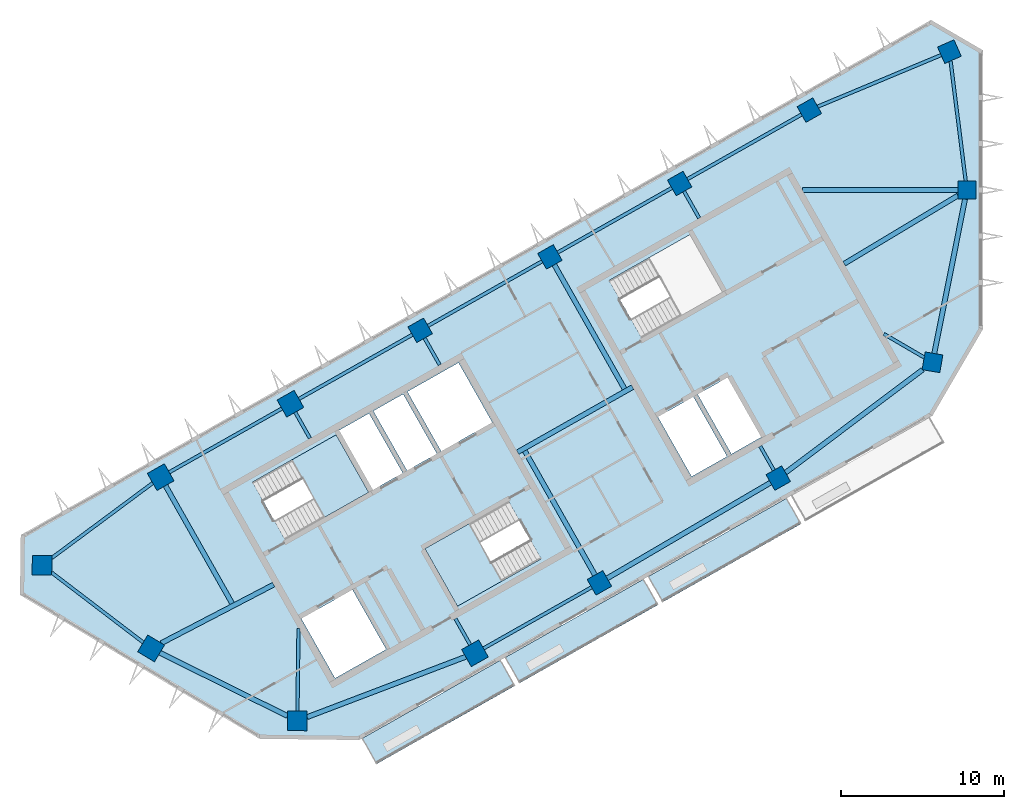
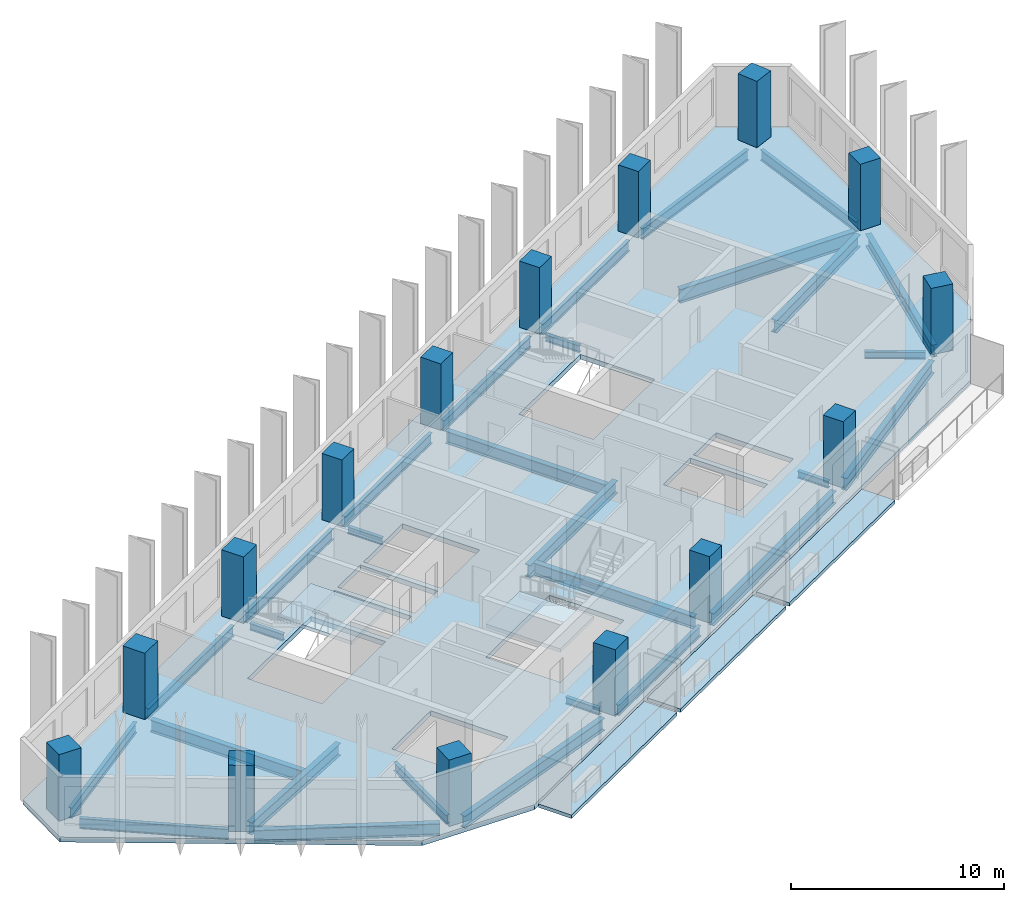
# One storey, part 1 of 8: 29 beams, 15 columns, 6 slabs, 2 elements without a shape of their own.
"""IFC4 building model written with IfcOpenShell, lengths in metres."""

from ifc_helpers import new_model, si_unit, direction, frame, origin, origin_2d, place, context, subcontext, project, spatial, polyline, rectangle, i_section, outline, extrude, material, layer, layer_set, material_profile, profile_set, type_object, element, aggregate, save


model = new_model("IFC4")

# Units and contexts
model_context = context("Model", 3, precision=1e-05, world=origin(), true_north=direction((0.0, 1.0)))
body_context = subcontext(model_context, "Body", "Model", "MODEL_VIEW")
ifc_project = project(units=[si_unit("LENGTHUNIT", "METRE"), si_unit("AREAUNIT", "SQUARE_METRE"), si_unit("VOLUMEUNIT", "CUBIC_METRE"), si_unit("PLANEANGLEUNIT", "RADIAN"), si_unit("MASSUNIT", "GRAM", prefix="KILO")], contexts=[model_context])

# Site, building, storey
site_placement = place(None, origin())
site = spatial("IfcSite", under=ifc_project, at=site_placement, CompositionType="ELEMENT")
building_placement = place(site_placement, origin())
building = spatial("IfcBuilding", under=site, at=building_placement, Name="Binnacle Exchange Tower", CompositionType="ELEMENT")
storey_placement = place(building_placement, frame((0.0, 0.0, 270.300048828125)))
storey = spatial("IfcBuildingStorey", under=building, at=storey_placement, Name="L60", CompositionType="ELEMENT", Elevation=270.300048828125)

# Columns
ifc_material_1 = material(Name="Concrete C60/75", Category="concrete")
ifc_material_profile_1 = material_profile(ifc_material_1, rectangle(XDim=1.10009765625, YDim=1.10009765625, at=origin_2d()), Name="Mega column 1100x1100 C60/75")
ifc_profile_set_1 = profile_set([ifc_material_profile_1], Name="Concrete C60/75")
column_type_1 = type_object("IfcColumnType", Name="Mega column 1100x1100 C60/75", PredefinedType="COLUMN", material=ifc_profile_set_1)
for number, where, z_axis, x_axis, name in (
    (1, (-10.4951171875, 64.901611328125, 0.0), (0.0, 0.0, 1.0), (-0.87035569594, -0.492423560103, 0.0), "S:COL:MC38:L60"),
    (2, (-18.44140625, 60.406005859375, 0.0), (0.0, 0.0, 1.0), (-0.87035569594, -0.492423560103, 0.0), "S:COL:MC29:L60"),
    (3, (-26.3876953125, 55.91015625, 0.0), (0.0, 0.0, 1.0), (-0.87035569594, -0.492423560103, 0.0), "S:COL:MC21:L60"),
    (4, (-34.333740234375, 51.414306640625, 0.0), (0.0, 0.0, 1.0), (-0.87035569594, -0.492423560103, 0.0), "S:COL:MC13:L60"),
    (5, (-23.35595703125, 35.9462890625, 0.0), (0.0, 0.0, 1.0), (0.87035569594, 0.492423560103, 0.0), "S:COL:MC16:L60"),
    (6, (-2.955322265625, 49.45556640625, 0.0), (0.0, 0.0, 1.0), (-0.98522612636, 0.171258517854, 0.0), "S:COL:MC43:L60"),
    (7, (-0.85009765625, 60.0, 0.0), (0.0, 0.0, 1.0), (0.0, 1.0, 0.0), "S:COL:MC45:L60"),
    (8, (-1.920166015625, 68.4833984375, 0.0), (0.0, 0.0, 1.0), (-0.91471298536, -0.40410413808, 0.0), "S:COL:MC44:L60"),
    (9, (-12.39990234375, 42.36328125, 0.0), (0.0, 0.0, 1.0), (0.87035569594, 0.492423560103, 0.0), "S:COL:MC30:L60"),
):
    element("IfcColumn", number, at=place(storey_placement, frame(where, z_axis=z_axis, x_axis=x_axis)), inside=storey, type_object=column_type_1, Name=name, PredefinedType="COLUMN", context=body_context, shape_type="SweptSolid", body=[
        extrude(rectangle(XDim=1.10009765625, YDim=1.10009765625, at=origin_2d()), origin(), (0.0, 0.0, 1.0), 3.800048828125),
    ])
ifc_material_profile_2 = material_profile(ifc_material_1, rectangle(XDim=1.199951171875, YDim=1.199951171875, at=origin_2d()), Name="Mega column 1200x1200 C60/75")
ifc_profile_set_2 = profile_set([ifc_material_profile_2], Name="Concrete C60/75")
column_type_2 = type_object("IfcColumnType", Name="Mega column 1200x1200 C60/75", PredefinedType="COLUMN", material=ifc_profile_set_2)
for number, where, z_axis, x_axis, name in (
    (10, (-42.280029296875, 46.918701171875, 0.0), (0.0, 0.0, 1.0), (-0.87035569594, -0.492423560103, 0.0), "S:COL:MC08:L60"),
    (11, (-50.226318359375, 42.4228515625, 0.0), (0.0, 0.0, 1.0), (-0.87035569594, -0.492423560103, 0.0), "S:COL:MC04:L60"),
    (12, (-57.492919921875, 37.02734375, 0.0), (0.0, 0.0, 1.0), (-0.013089595571, -0.999914327574, 0.0), "S:COL:MC02:L60"),
    (13, (-50.81201171875, 31.930908203125, 0.0), (0.0, 0.0, 1.0), (0.857167300702, -0.51503807491, 0.0), "S:COL:MC01:L60"),
    (14, (-41.857666015625, 27.494873046875, 0.0), (0.0, 0.0, 1.0), (0.999914327574, -0.013089595571, 0.0), "S:COL:MC03:L60"),
    (15, (-30.9755859375, 31.63525390625, 0.0), (0.0, 0.0, 1.0), (0.87035569594, 0.492423560103, 0.0), "S:COL:MC07:L60"),
):
    element("IfcColumn", number, at=place(storey_placement, frame(where, z_axis=z_axis, x_axis=x_axis)), inside=storey, type_object=column_type_2, Name=name, PredefinedType="COLUMN", context=body_context, shape_type="SweptSolid", body=[
        extrude(rectangle(XDim=1.199951171875, YDim=1.199951171875, at=origin_2d()), origin(), (0.0, 0.0, 1.0), 3.800048828125),
    ])

# Beams
ifc_material_2 = material(Name="Steel S355 (SHN355)", Category="steel")
ifc_material_profile_3 = material_profile(ifc_material_2, i_section(OverallWidth=0.199951171875, OverallDepth=0.60009765625, WebThickness=0.010986328125, FlangeThickness=0.01708984375, FilletRadius=0.02197265625, at=origin_2d()), Name="H 600x200x11x17")
ifc_profile_set_3 = profile_set([ifc_material_profile_3], Name="Steel S355 (SHN355)")
beam_type_1 = type_object("IfcBeamType", Name="Edge girder H 600x200x11x17 Steel S355 (SHN355)", PredefinedType="SPANDREL", material=ifc_profile_set_3)
beam_1_placement = place(storey_placement, frame((-56.89892578125, 36.57421875, -0.580078125), z_axis=(0.795079526259, -0.606505191176, 0.0), x_axis=(0.606505191176, 0.795079526259, 0.0)))
element("IfcBeam", 16, at=beam_1_placement, inside=storey, type_object=beam_type_1, Name="S:BM:edge:L60:004", PredefinedType="SPANDREL", context=body_context, shape_type="SweptSolid", body=[
    extrude(i_section(OverallWidth=0.199951171875, OverallDepth=0.60009765625, WebThickness=0.010986328125, FlangeThickness=0.01708984375, FilletRadius=0.02197265625, at=origin_2d()), origin(), (0.0, 0.0, 1.0), 7.052001953125),
])
ifc_material_profile_4 = material_profile(ifc_material_2, i_section(OverallWidth=0.200927734375, OverallDepth=0.60595703125, WebThickness=0.011962890625, FlangeThickness=0.02001953125, FilletRadius=0.02197265625, at=origin_2d()), Name="H 606x201x12x20")
ifc_profile_set_4 = profile_set([ifc_material_profile_4], Name="Steel S355 (SHN355)")
beam_type_2 = type_object("IfcBeamType", Name="Edge girder H 606x201x12x20 Steel S355 (SHN355)", PredefinedType="SPANDREL", material=ifc_profile_set_4)
beam_2_placement = place(storey_placement, frame((-50.711669921875, 42.0625, -0.5830078125), z_axis=(-0.802889255085, -0.596128211099, 0.0), x_axis=(0.596128211099, -0.802889255085, 0.0)))
element("IfcBeam", 17, at=beam_2_placement, inside=storey, type_object=beam_type_2, Name="S:BM:edge:L60:005", PredefinedType="SPANDREL", context=body_context, shape_type="SweptSolid", body=[
    extrude(i_section(OverallWidth=0.200927734375, OverallDepth=0.60595703125, WebThickness=0.011962890625, FlangeThickness=0.02001953125, FilletRadius=0.02197265625, at=origin_2d()), origin(), (0.0, 0.0, 1.0), 7.691650390625),
])
beam_3_placement = place(storey_placement, frame((-30.453369140625, 31.930908203125, -0.5830078125), z_axis=(0.870370831478, 0.49239680717, 0.0), x_axis=(-0.49239680717, 0.870370831478, 0.0)))
element("IfcBeam", 18, at=beam_3_placement, inside=storey, type_object=beam_type_2, Name="S:BM:edge:L60:010", PredefinedType="SPANDREL", context=body_context, shape_type="SweptSolid", body=[
    extrude(i_section(OverallWidth=0.200927734375, OverallDepth=0.60595703125, WebThickness=0.011962890625, FlangeThickness=0.02001953125, FilletRadius=0.02197265625, at=origin_2d()), origin(), (0.0, 0.0, 1.0), 7.6044921875),
])
beam_4_placement = place(storey_placement, frame((-0.91943359375, 60.550048828125, -0.5830078125), z_axis=(-0.125160121745, 0.992136555079, 0.0), x_axis=(-0.992136555079, -0.125160121745, 0.0)))
element("IfcBeam", 19, at=beam_4_placement, inside=storey, type_object=beam_type_2, Name="S:BM:edge:L60:018", PredefinedType="SPANDREL", context=body_context, shape_type="SweptSolid", body=[
    extrude(i_section(OverallWidth=0.200927734375, OverallDepth=0.60595703125, WebThickness=0.011962890625, FlangeThickness=0.02001953125, FilletRadius=0.02197265625, at=origin_2d()), origin(), (0.0, 0.0, 1.0), 7.422119140625),
])
ifc_material_profile_5 = material_profile(ifc_material_2, i_section(OverallWidth=0.201904296875, OverallDepth=0.612060546875, WebThickness=0.012939453125, FlangeThickness=0.02294921875, FilletRadius=0.02197265625, at=origin_2d()), Name="H 612x202x13x23")
ifc_profile_set_5 = profile_set([ifc_material_profile_5], Name="Steel S355 (SHN355)")
beam_type_3 = type_object("IfcBeamType", Name="Edge girder H 612x202x13x23 Steel S355 (SHN355)", PredefinedType="SPANDREL", material=ifc_profile_set_5)
beam_5_placement = place(storey_placement, frame((-42.80224609375, 46.623291015625, -0.5859375), z_axis=(-0.870360926906, -0.492414314288, 0.0), x_axis=(0.492414314288, -0.870360926906, 0.0)))
element("IfcBeam", 20, at=beam_5_placement, inside=storey, type_object=beam_type_3, Name="S:BM:edge:L60:007", PredefinedType="SPANDREL", context=body_context, shape_type="SweptSolid", body=[
    extrude(i_section(OverallWidth=0.201904296875, OverallDepth=0.612060546875, WebThickness=0.012939453125, FlangeThickness=0.02294921875, FilletRadius=0.02197265625, at=origin_2d()), origin(), (0.0, 0.0, 1.0), 7.929931640625),
])
beam_6_placement = place(storey_placement, frame((-34.8125, 51.1435546875, -0.5859375), z_axis=(-0.870357059543, -0.492421149935, 0.0), x_axis=(0.492421149935, -0.870357059543, 0.0)))
element("IfcBeam", 21, at=beam_6_placement, inside=storey, type_object=beam_type_3, Name="S:BM:edge:L60:009", PredefinedType="SPANDREL", context=body_context, shape_type="SweptSolid", body=[
    extrude(i_section(OverallWidth=0.201904296875, OverallDepth=0.612060546875, WebThickness=0.012939453125, FlangeThickness=0.02294921875, FilletRadius=0.02197265625, at=origin_2d()), origin(), (0.0, 0.0, 1.0), 7.979736328125),
])
beam_7_placement = place(storey_placement, frame((-26.8662109375, 55.639404296875, -0.5859375), z_axis=(-0.870353240257, -0.492427900482, 0.0), x_axis=(0.492427900482, -0.870353240257, 0.0)))
element("IfcBeam", 22, at=beam_7_placement, inside=storey, type_object=beam_type_3, Name="S:BM:edge:L60:011", PredefinedType="SPANDREL", context=body_context, shape_type="SweptSolid", body=[
    extrude(i_section(OverallWidth=0.201904296875, OverallDepth=0.612060546875, WebThickness=0.012939453125, FlangeThickness=0.02294921875, FilletRadius=0.02197265625, at=origin_2d()), origin(), (0.0, 0.0, 1.0), 8.02978515625),
])
beam_8_placement = place(storey_placement, frame((-18.919921875, 60.13525390625, -0.5859375), z_axis=(-0.870347582166, -0.492437900875, 0.0), x_axis=(0.492437900875, -0.870347582166, 0.0)))
element("IfcBeam", 23, at=beam_8_placement, inside=storey, type_object=beam_type_3, Name="S:BM:edge:L60:013", PredefinedType="SPANDREL", context=body_context, shape_type="SweptSolid", body=[
    extrude(i_section(OverallWidth=0.201904296875, OverallDepth=0.612060546875, WebThickness=0.012939453125, FlangeThickness=0.02294921875, FilletRadius=0.02197265625, at=origin_2d()), origin(), (0.0, 0.0, 1.0), 8.030029296875),
])
beam_9_placement = place(storey_placement, frame((-10.973876953125, 64.630859375, -0.5859375), z_axis=(-0.870353240257, -0.492427900482, 0.0), x_axis=(0.492427900482, -0.870353240257, 0.0)))
element("IfcBeam", 24, at=beam_9_placement, inside=storey, type_object=beam_type_3, Name="S:BM:edge:L60:015", PredefinedType="SPANDREL", context=body_context, shape_type="SweptSolid", body=[
    extrude(i_section(OverallWidth=0.201904296875, OverallDepth=0.612060546875, WebThickness=0.012939453125, FlangeThickness=0.02294921875, FilletRadius=0.02197265625, at=origin_2d()), origin(), (0.0, 0.0, 1.0), 8.02978515625),
])
beam_10_placement = place(storey_placement, frame((-2.427734375, 68.271240234375, -0.5859375), z_axis=(-0.922746687756, -0.385406992977, 0.0), x_axis=(0.385406992977, -0.922746687756, 0.0)))
element("IfcBeam", 25, at=beam_10_placement, inside=storey, type_object=beam_type_3, Name="S:BM:edge:L60:017", PredefinedType="SPANDREL", context=body_context, shape_type="SweptSolid", body=[
    extrude(i_section(OverallWidth=0.201904296875, OverallDepth=0.612060546875, WebThickness=0.012939453125, FlangeThickness=0.02294921875, FilletRadius=0.02197265625, at=origin_2d()), origin(), (0.0, 0.0, 1.0), 8.188720703125),
])
ifc_material_profile_6 = material_profile(ifc_material_2, i_section(OverallWidth=0.300048828125, OverallDepth=0.699951171875, WebThickness=0.012939453125, FlangeThickness=0.02392578125, FilletRadius=0.028076171875, at=origin_2d()), Name="H 700x300x13x24")
ifc_profile_set_6 = profile_set([ifc_material_profile_6], Name="Steel S355 (SHN355)")
beam_type_4 = type_object("IfcBeamType", Name="Edge girder H 700x300x13x24 Steel S355 (SHN355)", PredefinedType="SPANDREL", material=ifc_profile_set_6)
beam_11_placement = place(storey_placement, frame((-50.272705078125, 31.663818359375, -0.630126953125), z_axis=(0.896066323919, -0.443920199066, 0.0), x_axis=(0.443920199066, 0.896066323919, 0.0)))
element("IfcBeam", 26, at=beam_11_placement, inside=storey, type_object=beam_type_4, Name="S:BM:edge:L60:006", PredefinedType="SPANDREL", context=body_context, shape_type="SweptSolid", body=[
    extrude(i_section(OverallWidth=0.300048828125, OverallDepth=0.699951171875, WebThickness=0.012939453125, FlangeThickness=0.02392578125, FilletRadius=0.028076171875, at=origin_2d()), origin(), (0.0, 0.0, 1.0), 8.725830078125),
])
beam_12_placement = place(storey_placement, frame((-41.254638671875, 27.724365234375, -0.630126953125), z_axis=(0.934635421438, 0.355607408519, 0.0), x_axis=(-0.355607408519, 0.934635421438, 0.0)))
element("IfcBeam", 27, at=beam_12_placement, inside=storey, type_object=beam_type_4, Name="S:BM:edge:L60:008", PredefinedType="SPANDREL", context=body_context, shape_type="SweptSolid", body=[
    extrude(i_section(OverallWidth=0.300048828125, OverallDepth=0.699951171875, WebThickness=0.012939453125, FlangeThickness=0.02392578125, FilletRadius=0.028076171875, at=origin_2d()), origin(), (0.0, 0.0, 1.0), 10.390869140625),
])
beam_13_placement = place(storey_placement, frame((-11.95654296875, 42.6962890625, -0.630126953125), z_axis=(0.799642767002, 0.600476015493, 0.0), x_axis=(-0.600476015493, 0.799642767002, 0.0)))
element("IfcBeam", 28, at=beam_13_placement, inside=storey, type_object=beam_type_4, Name="S:BM:edge:L60:014", PredefinedType="SPANDREL", context=body_context, shape_type="SweptSolid", body=[
    extrude(i_section(OverallWidth=0.300048828125, OverallDepth=0.699951171875, WebThickness=0.012939453125, FlangeThickness=0.02392578125, FilletRadius=0.028076171875, at=origin_2d()), origin(), (0.0, 0.0, 1.0), 10.50146484375),
])
beam_14_placement = place(storey_placement, frame((-2.84765625, 49.9951171875, -0.630126953125), z_axis=(0.195814210945, 0.980641012191, 0.0), x_axis=(-0.980641012191, 0.195814210945, 0.0)))
element("IfcBeam", 29, at=beam_14_placement, inside=storey, type_object=beam_type_4, Name="S:BM:edge:L60:016", PredefinedType="SPANDREL", context=body_context, shape_type="SweptSolid", body=[
    extrude(i_section(OverallWidth=0.300048828125, OverallDepth=0.699951171875, WebThickness=0.012939453125, FlangeThickness=0.02392578125, FilletRadius=0.028076171875, at=origin_2d()), origin(), (0.0, 0.0, 1.0), 9.6416015625),
])
ifc_material_profile_7 = material_profile(ifc_material_2, i_section(OverallWidth=0.302001953125, OverallDepth=0.7080078125, WebThickness=0.014892578125, FlangeThickness=0.028076171875, FilletRadius=0.028076171875, at=origin_2d()), Name="H 708x302x15x28")
ifc_profile_set_7 = profile_set([ifc_material_profile_7], Name="Steel S355 (SHN355)")
beam_type_5 = type_object("IfcBeamType", Name="Edge girder H 708x302x15x28 Steel S355 (SHN355)", PredefinedType="SPANDREL", material=ifc_profile_set_7)
beam_15_placement = place(storey_placement, frame((-22.88134765625, 36.22412109375, -0.634033203125), z_axis=(0.86288572191, 0.50539908085, 0.0), x_axis=(-0.50539908085, 0.86288572191, 0.0)))
element("IfcBeam", 30, at=beam_15_placement, inside=storey, type_object=beam_type_5, Name="S:BM:edge:L60:012", PredefinedType="SPANDREL", context=body_context, shape_type="SweptSolid", body=[
    extrude(i_section(OverallWidth=0.302001953125, OverallDepth=0.7080078125, WebThickness=0.014892578125, FlangeThickness=0.028076171875, FilletRadius=0.028076171875, at=origin_2d()), origin(), (0.0, 0.0, 1.0), 11.596923828125),
])
ifc_material_profile_8 = material_profile(ifc_material_2, i_section(OverallWidth=0.199951171875, OverallDepth=0.39990234375, WebThickness=0.008056640625, FlangeThickness=0.012939453125, FilletRadius=0.01611328125, at=origin_2d()), Name="H 400x200x8x13")
ifc_profile_set_8 = profile_set([ifc_material_profile_8], Name="Steel S355 (SHN355)")
beam_type_6 = type_object("IfcBeamType", Name="Floor beam H 400x200x8x13 Steel S355 (SHN355)", PredefinedType="BEAM", material=ifc_profile_set_8)
beam_16_placement = place(storey_placement, frame((-41.984619140625, 46.396484375, -0.47998046875), z_axis=(0.492465079532, -0.87033220407, 0.0), x_axis=(0.87033220407, 0.492465079532, 0.0)))
element("IfcBeam", 31, at=beam_16_placement, inside=storey, type_object=beam_type_6, Name="S:BM:cross:L60:020", PredefinedType="BEAM", context=body_context, shape_type="SweptSolid", body=[
    extrude(i_section(OverallWidth=0.199951171875, OverallDepth=0.39990234375, WebThickness=0.008056640625, FlangeThickness=0.012939453125, FilletRadius=0.01611328125, at=origin_2d()), origin(), (0.0, 0.0, 1.0), 1.834228515625),
])
beam_17_placement = place(storey_placement, frame((-34.06298828125, 50.935791015625, -0.47998046875), z_axis=(0.492437150105, -0.870348006947, 0.0), x_axis=(0.870348006947, 0.492437150105, 0.0)))
element("IfcBeam", 32, at=beam_17_placement, inside=storey, type_object=beam_type_6, Name="S:BM:cross:L60:022", PredefinedType="BEAM", context=body_context, shape_type="SweptSolid", body=[
    extrude(i_section(OverallWidth=0.199951171875, OverallDepth=0.39990234375, WebThickness=0.008056640625, FlangeThickness=0.012939453125, FilletRadius=0.01611328125, at=origin_2d()), origin(), (0.0, 0.0, 1.0), 1.884521484375),
])
beam_18_placement = place(storey_placement, frame((-31.27099609375, 32.157470703125, -0.47998046875), z_axis=(-0.492465079532, 0.87033220407, 0.0), x_axis=(-0.87033220407, -0.492465079532, 0.0)))
element("IfcBeam", 33, at=beam_18_placement, inside=storey, type_object=beam_type_6, Name="S:BM:cross:L60:023", PredefinedType="BEAM", context=body_context, shape_type="SweptSolid", body=[
    extrude(i_section(OverallWidth=0.199951171875, OverallDepth=0.39990234375, WebThickness=0.008056640625, FlangeThickness=0.012939453125, FilletRadius=0.01611328125, at=origin_2d()), origin(), (0.0, 0.0, 1.0), 1.834228515625),
])
beam_19_placement = place(storey_placement, frame((-18.17041015625, 59.92724609375, -0.47998046875), z_axis=(0.492394529663, -0.870372119934, 0.0), x_axis=(0.870372119934, 0.492394529663, 0.0)))
element("IfcBeam", 34, at=beam_19_placement, inside=storey, type_object=beam_type_6, Name="S:BM:cross:L60:026", PredefinedType="BEAM", context=body_context, shape_type="SweptSolid", body=[
    extrude(i_section(OverallWidth=0.199951171875, OverallDepth=0.39990234375, WebThickness=0.008056640625, FlangeThickness=0.012939453125, FilletRadius=0.01611328125, at=origin_2d()), origin(), (0.0, 0.0, 1.0), 1.884033203125),
])
beam_20_placement = place(storey_placement, frame((-12.6708984375, 42.841796875, -0.47998046875), z_axis=(-0.492394350893, 0.870372221069, 0.0), x_axis=(-0.870372221069, -0.492394350893, 0.0)))
element("IfcBeam", 35, at=beam_20_placement, inside=storey, type_object=beam_type_6, Name="S:BM:cross:L60:027", PredefinedType="BEAM", context=body_context, shape_type="SweptSolid", body=[
    extrude(i_section(OverallWidth=0.199951171875, OverallDepth=0.39990234375, WebThickness=0.008056640625, FlangeThickness=0.012939453125, FilletRadius=0.01611328125, at=origin_2d()), origin(), (0.0, 0.0, 1.0), 1.6943359375),
])
beam_21_placement = place(storey_placement, frame((-3.46240234375, 49.751220703125, -0.47998046875), z_axis=(-0.863840862356, 0.503764790874, 0.0), x_axis=(-0.503764790874, -0.863840862356, 0.0)))
element("IfcBeam", 36, at=beam_21_placement, inside=storey, type_object=beam_type_6, Name="S:BM:cross:L60:028", PredefinedType="BEAM", context=body_context, shape_type="SweptSolid", body=[
    extrude(i_section(OverallWidth=0.199951171875, OverallDepth=0.39990234375, WebThickness=0.008056640625, FlangeThickness=0.012939453125, FilletRadius=0.01611328125, at=origin_2d()), origin(), (0.0, 0.0, 1.0), 2.85791015625),
])
ifc_material_profile_9 = material_profile(ifc_material_2, i_section(OverallWidth=0.200927734375, OverallDepth=0.506103515625, WebThickness=0.010986328125, FlangeThickness=0.01904296875, FilletRadius=0.02001953125, at=origin_2d()), Name="H 506x201x11x19")
ifc_profile_set_9 = profile_set([ifc_material_profile_9], Name="Steel S355 (SHN355)")
beam_type_7 = type_object("IfcBeamType", Name="Floor beam H 506x201x11x19 Steel S355 (SHN355)", PredefinedType="BEAM", material=ifc_profile_set_9)
beam_22_placement = place(storey_placement, frame((-41.849853515625, 28.0947265625, -0.532958984375), z_axis=(0.013099523714, 0.999914197558, 0.0), x_axis=(-0.999914197558, 0.013099523714, 0.0)))
element("IfcBeam", 37, at=beam_22_placement, inside=storey, type_object=beam_type_7, Name="S:BM:cross:L60:021", PredefinedType="BEAM", context=body_context, shape_type="SweptSolid", body=[
    extrude(i_section(OverallWidth=0.200927734375, OverallDepth=0.506103515625, WebThickness=0.010986328125, FlangeThickness=0.01904296875, FilletRadius=0.02001953125, at=origin_2d()), origin(), (0.0, 0.0, 1.0), 5.05078125),
])
ifc_material_profile_10 = material_profile(ifc_material_2, i_section(OverallWidth=0.300048828125, OverallDepth=0.699951171875, WebThickness=0.012939453125, FlangeThickness=0.02392578125, FilletRadius=0.028076171875, at=origin_2d()), Name="H 700x300x13x24")
ifc_profile_set_10 = profile_set([ifc_material_profile_10], Name="Steel S355 (SHN355)")
beam_type_8 = type_object("IfcBeamType", Name="Floor beam H 700x300x13x24 Steel S355 (SHN355)", PredefinedType="BEAM", material=ifc_profile_set_10)
beam_23_placement = place(storey_placement, frame((-49.9306640625, 41.900634765625, -0.630126953125), z_axis=(0.492421066821, -0.870357106566, 0.0), x_axis=(0.870357106566, 0.492421066821, 0.0)))
element("IfcBeam", 38, at=beam_23_placement, inside=storey, type_object=beam_type_8, Name="S:BM:cross:L60:019", PredefinedType="BEAM", context=body_context, shape_type="SweptSolid", body=[
    extrude(i_section(OverallWidth=0.300048828125, OverallDepth=0.699951171875, WebThickness=0.012939453125, FlangeThickness=0.02392578125, FilletRadius=0.028076171875, at=origin_2d()), origin(), (0.0, 0.0, 1.0), 8.291259765625),
])
ifc_material_profile_11 = material_profile(ifc_material_2, i_section(OverallWidth=0.302001953125, OverallDepth=0.7080078125, WebThickness=0.014892578125, FlangeThickness=0.028076171875, FilletRadius=0.028076171875, at=origin_2d()), Name="H 708x302x15x28")
ifc_profile_set_11 = profile_set([ifc_material_profile_11], Name="Steel S355 (SHN355)")
beam_type_9 = type_object("IfcBeamType", Name="Floor beam H 708x302x15x28 Steel S355 (SHN355)", PredefinedType="BEAM", material=ifc_profile_set_11)
beam_24_placement = place(storey_placement, frame((-26.11669921875, 55.431396484375, -0.634033203125), z_axis=(0.492413671625, -0.870361290497, 0.0), x_axis=(0.870361290497, 0.492413671625, 0.0)))
element("IfcBeam", 39, at=beam_24_placement, inside=storey, type_object=beam_type_9, Name="S:BM:cross:L60:024", PredefinedType="BEAM", context=body_context, shape_type="SweptSolid", body=[
    extrude(i_section(OverallWidth=0.302001953125, OverallDepth=0.7080078125, WebThickness=0.014892578125, FlangeThickness=0.028076171875, FilletRadius=0.028076171875, at=origin_2d()), origin(), (0.0, 0.0, 1.0), 8.734130859375),
])
beam_25_placement = place(storey_placement, frame((-23.626708984375, 36.4248046875, -0.634033203125), z_axis=(-0.492422866295, 0.870356088477, 0.0), x_axis=(-0.870356088477, -0.492422866295, 0.0)))
element("IfcBeam", 40, at=beam_25_placement, inside=storey, type_object=beam_type_9, Name="S:BM:cross:L60:025", PredefinedType="BEAM", context=body_context, shape_type="SweptSolid", body=[
    extrude(i_section(OverallWidth=0.302001953125, OverallDepth=0.7080078125, WebThickness=0.014892578125, FlangeThickness=0.028076171875, FilletRadius=0.028076171875, at=origin_2d()), origin(), (0.0, 0.0, 1.0), 8.734375),
])
ifc_material_profile_12 = material_profile(ifc_material_2, i_section(OverallWidth=0.300048828125, OverallDepth=0.800048828125, WebThickness=0.013916015625, FlangeThickness=0.02587890625, FilletRadius=0.028076171875, at=origin_2d()), Name="H 800x300x14x26")
ifc_profile_set_12 = profile_set([ifc_material_profile_12], Name="Steel S355 (SHN355)")
beam_type_10 = type_object("IfcBeamType", Name="Floor beam H 800x300x14x26 Steel S355 (SHN355)", PredefinedType="BEAM", material=ifc_profile_set_12)
beam_26_placement = place(storey_placement, frame((-1.39990234375, 60.0, -0.679931640625), z_axis=(-1.0, 0.0, 0.0), x_axis=(0.0, -1.0, 0.0)))
element("IfcBeam", 41, at=beam_26_placement, inside=storey, type_object=beam_type_10, Name="S:BM:cross:L60:029", PredefinedType="BEAM", context=body_context, shape_type="SweptSolid", body=[
    extrude(i_section(OverallWidth=0.300048828125, OverallDepth=0.800048828125, WebThickness=0.013916015625, FlangeThickness=0.02587890625, FilletRadius=0.028076171875, at=origin_2d()), origin(), (0.0, 0.0, 1.0), 9.51513671875),
])
ifc_material_profile_13 = material_profile(ifc_material_2, i_section(OverallWidth=0.300048828125, OverallDepth=0.699951171875, WebThickness=0.012939453125, FlangeThickness=0.02392578125, FilletRadius=0.028076171875, at=origin_2d()), Name="H 700x300x13x24")
ifc_profile_set_13 = profile_set([ifc_material_profile_13], Name="Steel S355 (SHN355)")
beam_type_11 = type_object("IfcBeamType", Name="Spine girder H 700x300x13x24 Steel S355 (SHN355)", PredefinedType="BEAM", material=ifc_profile_set_13)
beam_27_placement = place(storey_placement, frame((-50.18798828125, 32.255859375, -0.630126953125), z_axis=(0.886980159322, 0.461807532387, 0.0), x_axis=(-0.461807532387, 0.886980159322, 0.0)))
element("IfcBeam", 42, at=beam_27_placement, inside=storey, type_object=beam_type_11, Name="S:BM:spine:L60:001", PredefinedType="BEAM", context=body_context, shape_type="SweptSolid", body=[
    extrude(i_section(OverallWidth=0.300048828125, OverallDepth=0.699951171875, WebThickness=0.012939453125, FlangeThickness=0.02392578125, FilletRadius=0.028076171875, at=origin_2d()), origin(), (0.0, 0.0, 1.0), 7.757080078125),
])
beam_28_placement = place(storey_placement, frame((-8.36328125, 55.489990234375, -0.630126953125), z_axis=(0.857389464427, 0.514668151618, 0.0), x_axis=(-0.514668151618, 0.857389464427, 0.0)))
element("IfcBeam", 43, at=beam_28_placement, inside=storey, type_object=beam_type_11, Name="S:BM:spine:L60:003", PredefinedType="BEAM", context=body_context, shape_type="SweptSolid", body=[
    extrude(i_section(OverallWidth=0.300048828125, OverallDepth=0.699951171875, WebThickness=0.012939453125, FlangeThickness=0.02392578125, FilletRadius=0.028076171875, at=origin_2d()), origin(), (0.0, 0.0, 1.0), 8.12158203125),
])
ifc_material_profile_14 = material_profile(ifc_material_2, i_section(OverallWidth=0.302001953125, OverallDepth=0.7080078125, WebThickness=0.014892578125, FlangeThickness=0.028076171875, FilletRadius=0.028076171875, at=origin_2d()), Name="H 708x302x15x28")
ifc_profile_set_14 = profile_set([ifc_material_profile_14], Name="Steel S355 (SHN355)")
beam_type_12 = type_object("IfcBeamType", Name="Spine girder H 708x302x15x28 Steel S355 (SHN355)", PredefinedType="BEAM", material=ifc_profile_set_14)
beam_29_placement = place(storey_placement, frame((-28.365478515625, 43.951416015625, -0.634033203125), z_axis=(0.870350319004, 0.492433063684, 0.0), x_axis=(-0.492433063684, 0.870350319004, 0.0)))
element("IfcBeam", 44, at=beam_29_placement, inside=storey, type_object=beam_type_12, Name="S:BM:spine:L60:002", PredefinedType="BEAM", context=body_context, shape_type="SweptSolid", body=[
    extrude(i_section(OverallWidth=0.302001953125, OverallDepth=0.7080078125, WebThickness=0.014892578125, FlangeThickness=0.028076171875, FilletRadius=0.028076171875, at=origin_2d()), origin(), (0.0, 0.0, 1.0), 8.0908203125),
])

# Slabs
ifc_material_3 = material(Name="Concrete C35/45", Category="concrete")
ifc_layer_1 = layer(ifc_material_3, 0.199951171875)
ifc_layer_set_1 = layer_set([ifc_layer_1], Name="BALCONY SLAB 200")
slab_type_1 = type_object("IfcSlabType", Name="BALCONY SLAB 200", PredefinedType="FLOOR", material=ifc_layer_set_1)
slab_1_placement = place(storey_placement, frame((0.0, 0.0, -0.199951171875)))
element("IfcSlab", 45, at=slab_1_placement, inside=storey, type_object=slab_type_1, Name="Balcony BA-H07-00 L60", PredefinedType="FLOOR", context=body_context, shape_type="SweptSolid", body=[
    extrude(outline(polyline([(-37.90576171875, 26.410400390625), (-29.40380859375, 31.220458984375), (-28.517578125, 29.65380859375), (-37.019287109375, 24.84375), (-37.90576171875, 26.410400390625)])), origin(), (0.0, 0.0, 1.0), 0.199951171875),
])
slab_2_placement = place(storey_placement, frame((0.0, 0.0, -0.199951171875)))
element("IfcSlab", 46, at=slab_2_placement, inside=storey, type_object=slab_type_1, Name="Balcony BA-H07-01 L60", PredefinedType="FLOOR", context=body_context, shape_type="SweptSolid", body=[
    extrude(outline(polyline([(-29.142822265625, 31.3681640625), (-20.64111328125, 36.17822265625), (-19.754638671875, 34.611572265625), (-28.25634765625, 29.801513671875), (-29.142822265625, 31.3681640625)])), origin(), (0.0, 0.0, 1.0), 0.199951171875),
])
slab_3_placement = place(storey_placement, frame((0.0, 0.0, -0.199951171875)))
element("IfcSlab", 47, at=slab_3_placement, inside=storey, type_object=slab_type_1, Name="Balcony BA-H07-02 L60", PredefinedType="FLOOR", context=body_context, shape_type="SweptSolid", body=[
    extrude(outline(polyline([(-20.3798828125, 36.325927734375), (-11.878173828125, 41.135986328125), (-10.99169921875, 39.5693359375), (-19.493408203125, 34.759521484375), (-20.3798828125, 36.325927734375)])), origin(), (0.0, 0.0, 1.0), 0.199951171875),
])
ifc_layer_2 = layer(ifc_material_3, 0.280029296875)
ifc_layer_set_2 = layer_set([ifc_layer_2], Name="Floor slab 280 Concrete C35/45")
slab_type_2 = type_object("IfcSlabType", Name="Floor slab 280 Concrete C35/45", PredefinedType="FLOOR", material=ifc_layer_set_2)
slab_4_placement = place(storey_placement, frame((0.0, 0.0, -0.280029296875)))
element("IfcSlab", 48, at=slab_4_placement, inside=storey, type_object=slab_type_2, Name="S:SL:L60:01", PredefinedType="FLOOR", context=body_context, shape_type="SweptSolid", body=[
    extrude(outline(polyline([(-38.097900390625, 26.4453125), (-44.14404296875, 26.5244140625), (-58.716064453125, 35.280029296875), (-58.669921875, 38.80615234375), (-3.046142578125, 70.276611328125), (0.0, 68.5), (0.0, 51.5), (-3.046142578125, 46.276611328125), (-38.097900390625, 26.4453125)]), holes=[polyline([(-38.4794921875, 35.529296875), (-41.61279296875, 33.756591796875), (-39.544677734375, 30.10107421875), (-36.411376953125, 31.873779296875), (-38.4794921875, 35.529296875)]), polyline([(-32.04638671875, 34.515625), (-26.9287109375, 37.4111328125), (-28.923095703125, 40.93603515625), (-34.040771484375, 38.04052734375), (-32.04638671875, 34.515625)]), polyline([(-39.480712890625, 45.01611328125), (-44.598388671875, 42.12060546875), (-42.604248046875, 38.595703125), (-37.486572265625, 41.4912109375), (-39.480712890625, 45.01611328125)]), polyline([(-37.4658203125, 46.32861328125), (-39.293701171875, 45.29443359375), (-37.225341796875, 41.638916015625), (-35.397705078125, 42.673095703125), (-37.4658203125, 46.32861328125)]), polyline([(-17.598876953125, 47.343017578125), (-19.77490234375, 46.11181640625), (-17.70654296875, 42.456298828125), (-15.53076171875, 43.6875), (-17.598876953125, 47.343017578125)]), polyline([(-35.376953125, 47.51025390625), (-37.20458984375, 46.476318359375), (-35.136474609375, 42.82080078125), (-33.308837890625, 43.854736328125), (-35.376953125, 47.51025390625)]), polyline([(-15.510009765625, 48.52490234375), (-17.337890625, 47.49072265625), (-15.26953125, 43.835205078125), (-13.44189453125, 44.869384765625), (-15.510009765625, 48.52490234375)]), polyline([(-29.914306640625, 45.775390625), (-31.982666015625, 49.430908203125), (-35.115966796875, 47.657958984375), (-33.047607421875, 44.00244140625), (-29.914306640625, 45.775390625)]), polyline([(-15.822509765625, 53.748046875), (-17.81689453125, 57.27294921875), (-22.760498046875, 54.47607421875), (-20.76611328125, 50.950927734375), (-15.822509765625, 53.748046875)])]), origin(), (0.0, 0.0, 1.0), 0.280029296875),
])

# Stair, slab
stair_type = type_object("IfcStairType", Name="STAIR 22 RISERS 173", PredefinedType="HALF_TURN_STAIR", material=ifc_material_3)
stair_1_placement = place(storey_placement, origin())
stair_1 = element("IfcStair", 49, at=stair_1_placement, inside=storey, type_object=stair_type, Name="L60 Escape stair A1", PredefinedType="HALF_TURN_STAIR")
ifc_layer_3 = layer(ifc_material_3, 0.199951171875)
ifc_layer_set_3 = layer_set([ifc_layer_3], Name="STAIR LANDING 200")
slab_type_3 = type_object("IfcSlabType", Name="STAIR LANDING 200", PredefinedType="LANDING", material=ifc_layer_set_3)
slab_5_placement = place(storey_placement, frame((0.0, 0.0, 1.699951171875)))
slab_5 = element("IfcSlab", 50, at=slab_5_placement, type_object=slab_type_3, Name="STA1 landing 1", PredefinedType="LANDING", context=body_context, shape_type="SweptSolid", body=[
    extrude(outline(polyline([(-40.2021484375, 39.954833984375), (-37.486572265625, 41.4912109375), (-39.48095703125, 45.01611328125), (-42.1962890625, 43.479736328125), (-40.2021484375, 39.954833984375)])), origin(), (0.0, 0.0, 1.0), 0.199951171875),
])
aggregate(stair_1, [slab_5])

stair_2_placement = place(storey_placement, origin())
stair_2 = element("IfcStair", 51, at=stair_2_placement, inside=storey, type_object=stair_type, Name="L60 Escape stair A2", PredefinedType="HALF_TURN_STAIR")
slab_6_placement = place(storey_placement, frame((0.0, 0.0, 1.699951171875)))
slab_6 = element("IfcSlab", 52, at=slab_6_placement, type_object=slab_type_3, Name="STA2 landing 1", PredefinedType="LANDING", context=body_context, shape_type="SweptSolid", body=[
    extrude(outline(polyline([(-31.3251953125, 39.576904296875), (-34.040771484375, 38.04052734375), (-32.04638671875, 34.515625), (-29.330810546875, 36.052001953125), (-31.3251953125, 39.576904296875)])), origin(), (0.0, 0.0, 1.0), 0.199951171875),
])
aggregate(stair_2, [slab_6])

save(model, "model.ifc")
